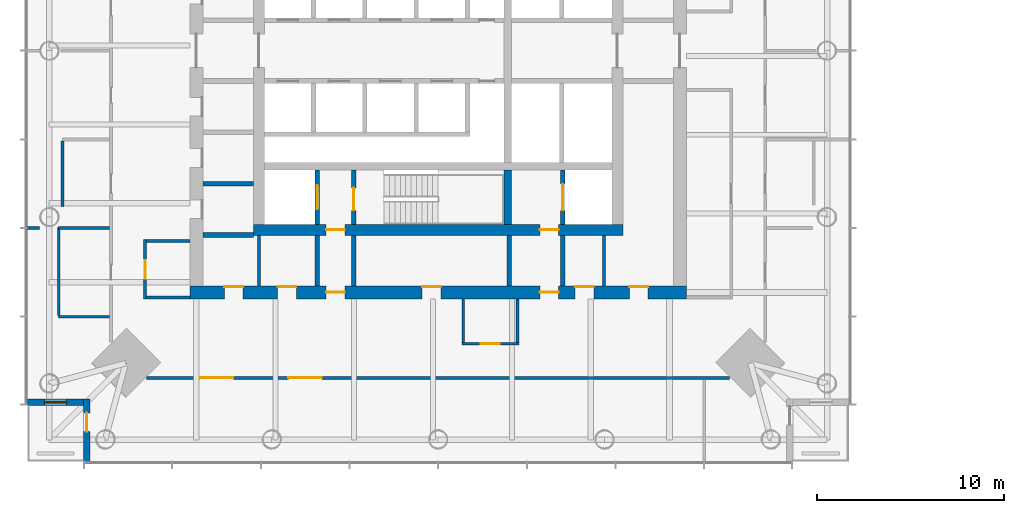
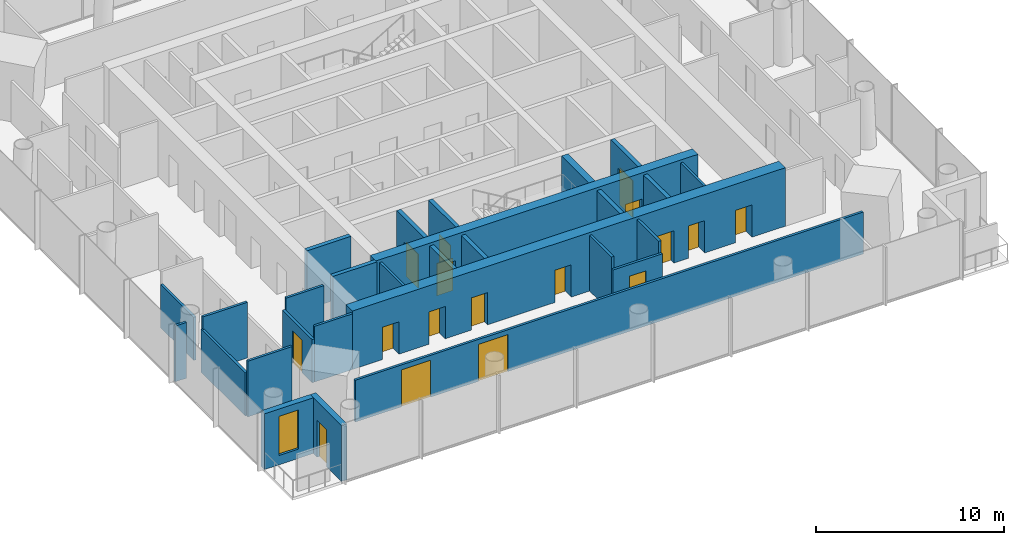
# One storey, part 8 of 19: 28 walls, 17 doors, 1 window, 18 openings.
"""IFC4 building model written with IfcOpenShell, lengths in metres."""

from ifc_helpers import new_model, si_unit, direction, frame, frame_2d, origin, place, context, subcontext, project, spatial, rectangle, extrude, material, layer, layer_set, type_object, element, fill, save


model = new_model("IFC4")

# Units and contexts
model_context = context("Model", 3, precision=1e-05, world=origin(), true_north=direction((0.0, 1.0)))
body_context = subcontext(model_context, "Body", "Model", "MODEL_VIEW")
ifc_project = project(units=[si_unit("LENGTHUNIT", "METRE"), si_unit("AREAUNIT", "SQUARE_METRE"), si_unit("VOLUMEUNIT", "CUBIC_METRE"), si_unit("PLANEANGLEUNIT", "RADIAN"), si_unit("MASSUNIT", "GRAM", prefix="KILO")], contexts=[model_context])

# Site, building, storey
site_placement = place(None, origin())
site = spatial("IfcSite", under=ifc_project, at=site_placement, CompositionType="ELEMENT")
building_placement = place(site_placement, origin())
building = spatial("IfcBuilding", under=site, at=building_placement, Name="Ostroluk Exchange", CompositionType="ELEMENT")
storey_placement = place(building_placement, frame((0.0, 0.0, 119.800048828125)))
storey = spatial("IfcBuildingStorey", under=building, at=storey_placement, Name="L30", CompositionType="ELEMENT", Elevation=119.800048828125)

# Walls
ifc_material_1 = material(Name="Concrete blockwork", Category="masonry")
ifc_layer_1 = layer(ifc_material_1, 0.14990234375)
ifc_layer_set_1 = layer_set([ifc_layer_1], Name="Blockwork plant room wall 150")
wall_type_1 = type_object("IfcWallType", Name="Blockwork plant room wall 150", PredefinedType="SOLIDWALL", material=ifc_layer_set_1)
for number, where, z_axis, x_axis, name in (
    (1, (35.39990234375, 33.39990234375, 0.0), (0.0, 0.0, 1.0), (0.0, 1.0, 0.0), "Core room wall"),
    (2, (53.887939453125, 33.39990234375, 0.0), (0.0, 0.0, 1.0), (0.0, 1.0, 0.0), "Core room wall"),
):
    element("IfcWall", number, at=place(storey_placement, frame(where, z_axis=z_axis, x_axis=x_axis)), inside=storey, type_object=wall_type_1, Name=name, PredefinedType="SOLIDWALL", context=body_context, shape_type="SweptSolid", body=[
        extrude(rectangle(XDim=2.7001953125, YDim=0.14990234375, at=frame_2d((1.35009765625, 0.0))), origin(), (0.0, 0.0, 1.0), 3.619873046875),
    ])
ifc_material_2 = material(Name="Concrete blockwork", Category="masonry")
ifc_layer_2 = layer(ifc_material_2, 0.25)
ifc_layer_set_2 = layer_set([ifc_layer_2], Name="Blockwork stair enclosure wall 250")
wall_type_2 = type_object("IfcWallType", Name="Blockwork stair enclosure wall 250", PredefinedType="SOLIDWALL", material=ifc_layer_set_2)
for number, where, z_axis, x_axis, name in (
    (3, (38.52490234375, 33.39990234375, 0.0), (0.0, 0.0, 1.0), (0.0, 1.0, 0.0), "Fire lobby enclosure wall"),
    (4, (40.47509765625, 33.39990234375, 0.0), (0.0, 0.0, 1.0), (0.0, 1.0, 0.0), "Fire lobby enclosure wall"),
    (5, (48.804931640625, 33.39990234375, 0.0), (0.0, 0.0, 1.0), (0.0, 1.0, 0.0), "Service lobby enclosure wall"),
    (6, (51.675048828125, 33.39990234375, 0.0), (0.0, 0.0, 1.0), (0.0, 1.0, 0.0), "Service lobby enclosure wall"),
):
    element("IfcWall", number, at=place(storey_placement, frame(where, z_axis=z_axis, x_axis=x_axis)), inside=storey, type_object=wall_type_2, Name=name, PredefinedType="SOLIDWALL", context=body_context, shape_type="SweptSolid", body=[
        extrude(rectangle(XDim=2.7001953125, YDim=0.25, at=frame_2d((1.35009765625, 0.0))), origin(), (0.0, 0.0, 1.0), 3.619873046875),
    ])
ifc_material_3 = material(Name="Concrete C50/60", Category="concrete")
ifc_layer_3 = layer(ifc_material_3, 0.39990234375)
ifc_layer_set_3 = layer_set([ifc_layer_3], Name="Core cross wall 400 C50/60")
wall_type_3 = type_object("IfcWallType", Name="Core cross wall 400 C50/60", PredefinedType="SHEAR", material=ifc_layer_set_3)
wall_1_placement = place(storey_placement, frame((48.72998046875, 36.699951171875, 0.0), z_axis=(0.0, 0.0, 1.0), x_axis=(0.0, 1.0, 0.0)))
element("IfcWall", 7, at=wall_1_placement, inside=storey, type_object=wall_type_3, Name="T1 core wall YE1", PredefinedType="SHEAR", context=body_context, shape_type="SweptSolid", body=[
    extrude(rectangle(XDim=2.900146484375, YDim=0.39990234375, at=frame_2d((1.4501953125, 0.0))), origin(), (0.0, 0.0, 1.0), 3.800048828125),
])

# Wall, opening, door
ifc_material_4 = material(Name="Concrete C40/50", Category="concrete")
ifc_layer_4 = layer(ifc_material_4, 0.25)
ifc_layer_set_4 = layer_set([ifc_layer_4], Name="Core shaft wall 250")
wall_type_4 = type_object("IfcWallType", Name="Core shaft wall 250", PredefinedType="SHEAR", material=ifc_layer_set_4)
wall_2_placement = place(storey_placement, frame((38.52490234375, 36.699951171875, 0.0), z_axis=(0.0, 0.0, 1.0), x_axis=(0.0, 1.0, 0.0)))
wall_2 = element("IfcWall", 8, at=wall_2_placement, inside=storey, type_object=wall_type_4, Name="Firefighting lift shaft wall", PredefinedType="SHEAR", context=body_context, shape_type="SweptSolid", body=[
    extrude(rectangle(XDim=2.900146484375, YDim=0.25, at=frame_2d((1.4501953125, 0.0))), origin(), (0.0, 0.0, 1.0), 3.800048828125),
])
opening_1_placement = place(wall_2_placement, frame((0.800048828125, 0.0, 0.0)))
opening_1 = element("IfcOpeningElement", 9, at=opening_1_placement, cuts=wall_2, Name="Opening LD2", PredefinedType="OPENING", context=body_context, shape_type="SweptSolid", body=[
    extrude(rectangle(XDim=1.300048828125, YDim=2.199951171875, at=frame_2d((0.64990234375, 1.10009765625))), frame((0.0, 0.135009765625, 0.0), z_axis=(0.0, -1.0, 0.0), x_axis=(1.0, 0.0, 0.0)), (0.0, 0.0, 1.0), 0.27001953125),
])
ifc_material_5 = material(Name="Stainless steel", Category="steel")
door_type_1 = type_object("IfcDoorType", Name="Lift landing door E 60 1300 x 2200", OperationType="DOUBLE_DOOR_SLIDING", PredefinedType="DOOR", material=ifc_material_5)
door_1_placement = place(opening_1_placement, origin())
door_1 = element("IfcDoor", 10, at=door_1_placement, inside=storey, type_object=door_type_1, Name="Lift FL1 landing door", OperationType="DOUBLE_DOOR_SLIDING", OverallHeight=2.199951171875, OverallWidth=1.300048828125, PredefinedType="DOOR", context=body_context, shape_type="SweptSolid", body=[
    extrude(rectangle(XDim=1.300048828125, YDim=2.199951171875, at=frame_2d((0.64990234375, 1.10009765625))), frame((0.0, 0.02490234375, 0.0), z_axis=(0.0, -1.0, 0.0), x_axis=(1.0, 0.0, 0.0)), (0.0, 0.0, 1.0), 0.050048828125),
])
fill(opening_1, door_1)

wall_3_placement = place(storey_placement, frame((40.47509765625, 36.699951171875, 0.0), z_axis=(0.0, 0.0, 1.0), x_axis=(0.0, 1.0, 0.0)))
wall_3 = element("IfcWall", 11, at=wall_3_placement, inside=storey, type_object=wall_type_4, Name="Stair shaft wall", PredefinedType="SHEAR", context=body_context, shape_type="SweptSolid", body=[
    extrude(rectangle(XDim=2.900146484375, YDim=0.25, at=frame_2d((1.4501953125, 0.0))), origin(), (0.0, 0.0, 1.0), 3.800048828125),
])
opening_2_placement = place(wall_3_placement, frame((0.75, 0.0, 0.0)))
opening_2 = element("IfcOpeningElement", 12, at=opening_2_placement, cuts=wall_3, Name="Opening FD60S", PredefinedType="OPENING", context=body_context, shape_type="SweptSolid", body=[
    extrude(rectangle(XDim=1.199951171875, YDim=2.10009765625, at=frame_2d((0.60009765625, 1.050048828125))), frame((0.0, 0.135009765625, 0.0), z_axis=(0.0, -1.0, 0.0), x_axis=(1.0, 0.0, 0.0)), (0.0, 0.0, 1.0), 0.27001953125),
])
ifc_material_6 = material(Name="Steel", Category="steel")
door_type_2 = type_object("IfcDoorType", Name="Stair door EI 60 1200 x 2100", OperationType="SINGLE_SWING_LEFT", PredefinedType="DOOR", material=ifc_material_6)
door_2_placement = place(opening_2_placement, origin())
door_2 = element("IfcDoor", 13, at=door_2_placement, inside=storey, type_object=door_type_2, Name="Stair T1-S1 door", OperationType="SINGLE_SWING_LEFT", OverallHeight=2.10009765625, OverallWidth=1.199951171875, PredefinedType="DOOR", context=body_context, shape_type="SweptSolid", body=[
    extrude(rectangle(XDim=1.199951171875, YDim=2.10009765625, at=frame_2d((0.60009765625, 1.050048828125))), frame((0.0, 0.02490234375, 0.0), z_axis=(0.0, -1.0, 0.0), x_axis=(1.0, 0.0, 0.0)), (0.0, 0.0, 1.0), 0.050048828125),
])
fill(opening_2, door_2)

wall_4_placement = place(storey_placement, frame((51.675048828125, 36.699951171875, 0.0), z_axis=(0.0, 0.0, 1.0), x_axis=(0.0, 1.0, 0.0)))
wall_4 = element("IfcWall", 14, at=wall_4_placement, inside=storey, type_object=wall_type_4, Name="Service lift shaft wall", PredefinedType="SHEAR", context=body_context, shape_type="SweptSolid", body=[
    extrude(rectangle(XDim=2.900146484375, YDim=0.25, at=frame_2d((1.4501953125, 0.0))), origin(), (0.0, 0.0, 1.0), 3.800048828125),
])
opening_3_placement = place(wall_4_placement, frame((0.75, 0.0, 0.0)))
opening_3 = element("IfcOpeningElement", 15, at=opening_3_placement, cuts=wall_4, Name="Opening LD3", PredefinedType="OPENING", context=body_context, shape_type="SweptSolid", body=[
    extrude(rectangle(XDim=1.39990234375, YDim=2.39990234375, at=frame_2d((0.699951171875, 1.199951171875))), frame((0.0, 0.135009765625, 0.0), z_axis=(0.0, -1.0, 0.0), x_axis=(1.0, 0.0, 0.0)), (0.0, 0.0, 1.0), 0.27001953125),
])
ifc_material_7 = material(Name="Stainless steel", Category="steel")
door_type_3 = type_object("IfcDoorType", Name="Goods lift landing door E 60 1400 x 2400", OperationType="DOUBLE_DOOR_SLIDING", PredefinedType="DOOR", material=ifc_material_7)
door_3_placement = place(opening_3_placement, origin())
door_3 = element("IfcDoor", 16, at=door_3_placement, inside=storey, type_object=door_type_3, Name="Lift SL1 landing door", OperationType="DOUBLE_DOOR_SLIDING", OverallHeight=2.39990234375, OverallWidth=1.39990234375, PredefinedType="DOOR", context=body_context, shape_type="SweptSolid", body=[
    extrude(rectangle(XDim=1.39990234375, YDim=2.39990234375, at=frame_2d((0.699951171875, 1.199951171875))), frame((0.0, 0.02490234375, 0.0), z_axis=(0.0, -1.0, 0.0), x_axis=(1.0, 0.0, 0.0)), (0.0, 0.0, 1.0), 0.050048828125),
])
fill(opening_3, door_3)

# Walls
for number, where, z_axis, x_axis, name in (
    (17, (32.39990234375, 36.125, 0.0), (0.0, 0.0, 1.0), (1.0, 0.0, 0.0), "Lift shaft wall"),
    (18, (32.39990234375, 38.875, 0.0), (0.0, 0.0, 1.0), (1.0, 0.0, 0.0), "Lift shaft wall"),
):
    element("IfcWall", number, at=place(storey_placement, frame(where, z_axis=z_axis, x_axis=x_axis)), inside=storey, type_object=wall_type_4, Name=name, PredefinedType="SHEAR", context=body_context, shape_type="SweptSolid", body=[
        extrude(rectangle(XDim=2.7001953125, YDim=0.25, at=frame_2d((1.35009765625, 0.0))), origin(), (0.0, 0.0, 1.0), 3.800048828125),
    ])

# Wall, openings, doors
ifc_material_8 = material(Name="Concrete C50/60", Category="concrete")
ifc_layer_5 = layer(ifc_material_8, 0.60009765625)
ifc_layer_set_5 = layer_set([ifc_layer_5], Name="Core wall 600 C50/60")
wall_type_5 = type_object("IfcWallType", Name="Core wall 600 C50/60", PredefinedType="SHEAR", material=ifc_layer_set_5)
wall_5_placement = place(storey_placement, frame((35.10009765625, 36.39990234375, 0.0), z_axis=(0.0, 0.0, 1.0), x_axis=(1.0, 0.0, 0.0)))
wall_5 = element("IfcWall", 19, at=wall_5_placement, inside=storey, type_object=wall_type_5, Name="T1 core wall S", PredefinedType="SHEAR", context=body_context, shape_type="SweptSolid", body=[
    extrude(rectangle(XDim=19.7998046875, YDim=0.60009765625, at=frame_2d((9.89990234375, 0.0))), origin(), (0.0, 0.0, 1.0), 3.800048828125),
])
opening_4_placement = place(wall_5_placement, frame((3.89990234375, 0.0, 0.0)))
opening_4 = element("IfcOpeningElement", 20, at=opening_4_placement, cuts=wall_5, Name="Opening FD60", PredefinedType="OPENING", context=body_context, shape_type="SweptSolid", body=[
    extrude(rectangle(XDim=1.0, YDim=2.10009765625, at=frame_2d((0.5, 1.050048828125))), frame((0.0, 0.31005859375, 0.0), z_axis=(0.0, -1.0, 0.0), x_axis=(1.0, 0.0, 0.0)), (0.0, 0.0, 1.0), 0.6201171875),
])
opening_5_placement = place(wall_5_placement, frame((15.35009765625, 0.0, 0.0)))
opening_5 = element("IfcOpeningElement", 21, at=opening_5_placement, cuts=wall_5, Name="Opening FD60", PredefinedType="OPENING", context=body_context, shape_type="SweptSolid", body=[
    extrude(rectangle(XDim=1.0, YDim=2.10009765625, at=frame_2d((0.5, 1.050048828125))), frame((0.0, 0.31005859375, 0.0), z_axis=(0.0, -1.0, 0.0), x_axis=(1.0, 0.0, 0.0)), (0.0, 0.0, 1.0), 0.6201171875),
])
ifc_material_9 = material(Name="Steel", Category="steel")
door_type_4 = type_object("IfcDoorType", Name="Fire door EI 60 1000 x 2100", OperationType="SINGLE_SWING_LEFT", PredefinedType="DOOR", material=ifc_material_9)
door_4_placement = place(opening_4_placement, origin())
door_4 = element("IfcDoor", 22, at=door_4_placement, inside=storey, type_object=door_type_4, Name="Firefighting lobby door", OperationType="SINGLE_SWING_LEFT", OverallHeight=2.10009765625, OverallWidth=1.0, PredefinedType="DOOR", context=body_context, shape_type="SweptSolid", body=[
    extrude(rectangle(XDim=1.0, YDim=2.10009765625, at=frame_2d((0.5, 1.050048828125))), frame((0.0, 0.02490234375, 0.0), z_axis=(0.0, -1.0, 0.0), x_axis=(1.0, 0.0, 0.0)), (0.0, 0.0, 1.0), 0.050048828125),
])
fill(opening_4, door_4)
door_5_placement = place(opening_5_placement, origin())
door_5 = element("IfcDoor", 23, at=door_5_placement, inside=storey, type_object=door_type_4, Name="Service lobby door", OperationType="SINGLE_SWING_RIGHT", OverallHeight=2.10009765625, OverallWidth=1.0, PredefinedType="DOOR", context=body_context, shape_type="SweptSolid", body=[
    extrude(rectangle(XDim=1.0, YDim=2.10009765625, at=frame_2d((0.5, 1.050048828125))), frame((0.0, 0.02490234375, 0.0), z_axis=(0.0, -1.0, 0.0), x_axis=(1.0, 0.0, 0.0)), (0.0, 0.0, 1.0), 0.050048828125),
])
fill(opening_5, door_5)

ifc_material_10 = material(Name="Concrete C50/60", Category="concrete")
ifc_layer_6 = layer(ifc_material_10, 0.699951171875)
ifc_layer_set_6 = layer_set([ifc_layer_6], Name="Core wall 700 C50/60")
wall_type_6 = type_object("IfcWallType", Name="Core wall 700 C50/60", PredefinedType="SHEAR", material=ifc_layer_set_6)
wall_6_placement = place(storey_placement, frame((31.699951171875, 33.050048828125, 0.0), z_axis=(0.0, 0.0, 1.0), x_axis=(1.0, 0.0, 0.0)))
wall_6 = element("IfcWall", 24, at=wall_6_placement, inside=storey, type_object=wall_type_6, Name="T1 core wall RS", PredefinedType="SHEAR", context=body_context, shape_type="SweptSolid", body=[
    extrude(rectangle(XDim=26.60009765625, YDim=0.699951171875, at=frame_2d((13.300048828125, 0.0))), origin(), (0.0, 0.0, 1.0), 3.800048828125),
])
opening_6_placement = place(wall_6_placement, frame((7.300048828125, 0.0, 0.0)))
opening_6 = element("IfcOpeningElement", 25, at=opening_6_placement, cuts=wall_6, Name="Opening FD60", PredefinedType="OPENING", context=body_context, shape_type="SweptSolid", body=[
    extrude(rectangle(XDim=1.0, YDim=2.10009765625, at=frame_2d((0.5, 1.050048828125))), frame((0.0, 0.35986328125, 0.0), z_axis=(0.0, -1.0, 0.0), x_axis=(1.0, 0.0, 0.0)), (0.0, 0.0, 1.0), 0.719970703125),
])
opening_7_placement = place(wall_6_placement, frame((18.75, 0.0, 0.0)))
opening_7 = element("IfcOpeningElement", 26, at=opening_7_placement, cuts=wall_6, Name="Opening FD60", PredefinedType="OPENING", context=body_context, shape_type="SweptSolid", body=[
    extrude(rectangle(XDim=1.0, YDim=2.10009765625, at=frame_2d((0.5, 1.050048828125))), frame((0.0, 0.35986328125, 0.0), z_axis=(0.0, -1.0, 0.0), x_axis=(1.0, 0.0, 0.0)), (0.0, 0.0, 1.0), 0.719970703125),
])
opening_8_placement = place(wall_6_placement, frame((1.85009765625, 0.0, 0.0)))
opening_8 = element("IfcOpeningElement", 27, at=opening_8_placement, cuts=wall_6, Name="Opening FD60", PredefinedType="OPENING", context=body_context, shape_type="SweptSolid", body=[
    extrude(rectangle(XDim=1.0, YDim=2.10009765625, at=frame_2d((0.5, 1.050048828125))), frame((0.0, 0.35986328125, 0.0), z_axis=(0.0, -1.0, 0.0), x_axis=(1.0, 0.0, 0.0)), (0.0, 0.0, 1.0), 0.719970703125),
])
opening_9_placement = place(wall_6_placement, frame((4.699951171875, 0.0, 0.0)))
opening_9 = element("IfcOpeningElement", 28, at=opening_9_placement, cuts=wall_6, Name="Opening FD60", PredefinedType="OPENING", context=body_context, shape_type="SweptSolid", body=[
    extrude(rectangle(XDim=1.0, YDim=2.10009765625, at=frame_2d((0.5, 1.050048828125))), frame((0.0, 0.35986328125, 0.0), z_axis=(0.0, -1.0, 0.0), x_axis=(1.0, 0.0, 0.0)), (0.0, 0.0, 1.0), 0.719970703125),
])
opening_10_placement = place(wall_6_placement, frame((12.43994140625, 0.0, 0.0)))
opening_10 = element("IfcOpeningElement", 29, at=opening_10_placement, cuts=wall_6, Name="Opening FD60", PredefinedType="OPENING", context=body_context, shape_type="SweptSolid", body=[
    extrude(rectangle(XDim=1.0, YDim=2.10009765625, at=frame_2d((0.5, 1.050048828125))), frame((0.0, 0.35986328125, 0.0), z_axis=(0.0, -1.0, 0.0), x_axis=(1.0, 0.0, 0.0)), (0.0, 0.0, 1.0), 0.719970703125),
])
opening_11_placement = place(wall_6_placement, frame((20.64404296875, 0.0, 0.0)))
opening_11 = element("IfcOpeningElement", 30, at=opening_11_placement, cuts=wall_6, Name="Opening FD60", PredefinedType="OPENING", context=body_context, shape_type="SweptSolid", body=[
    extrude(rectangle(XDim=1.0, YDim=2.10009765625, at=frame_2d((0.5, 1.050048828125))), frame((0.0, 0.35986328125, 0.0), z_axis=(0.0, -1.0, 0.0), x_axis=(1.0, 0.0, 0.0)), (0.0, 0.0, 1.0), 0.719970703125),
])
opening_12_placement = place(wall_6_placement, frame((23.5439453125, 0.0, 0.0)))
opening_12 = element("IfcOpeningElement", 31, at=opening_12_placement, cuts=wall_6, Name="Opening FD60", PredefinedType="OPENING", context=body_context, shape_type="SweptSolid", body=[
    extrude(rectangle(XDim=1.0, YDim=2.10009765625, at=frame_2d((0.5, 1.050048828125))), frame((0.0, 0.35986328125, 0.0), z_axis=(0.0, -1.0, 0.0), x_axis=(1.0, 0.0, 0.0)), (0.0, 0.0, 1.0), 0.719970703125),
])
door_6_placement = place(opening_6_placement, origin())
door_6 = element("IfcDoor", 32, at=door_6_placement, inside=storey, type_object=door_type_4, Name="Firefighting lobby door", OperationType="SINGLE_SWING_LEFT", OverallHeight=2.10009765625, OverallWidth=1.0, PredefinedType="DOOR", context=body_context, shape_type="SweptSolid", body=[
    extrude(rectangle(XDim=1.0, YDim=2.10009765625, at=frame_2d((0.5, 1.050048828125))), frame((0.0, 0.02490234375, 0.0), z_axis=(0.0, -1.0, 0.0), x_axis=(1.0, 0.0, 0.0)), (0.0, 0.0, 1.0), 0.050048828125),
])
fill(opening_6, door_6)
door_7_placement = place(opening_7_placement, origin())
door_7 = element("IfcDoor", 33, at=door_7_placement, inside=storey, type_object=door_type_4, Name="Service lobby door", OperationType="SINGLE_SWING_RIGHT", OverallHeight=2.10009765625, OverallWidth=1.0, PredefinedType="DOOR", context=body_context, shape_type="SweptSolid", body=[
    extrude(rectangle(XDim=1.0, YDim=2.10009765625, at=frame_2d((0.5, 1.050048828125))), frame((0.0, 0.02490234375, 0.0), z_axis=(0.0, -1.0, 0.0), x_axis=(1.0, 0.0, 0.0)), (0.0, 0.0, 1.0), 0.050048828125),
])
fill(opening_7, door_7)
door_8_placement = place(opening_8_placement, origin())
door_8 = element("IfcDoor", 34, at=door_8_placement, inside=storey, type_object=door_type_4, Name="Archive door", OperationType="SINGLE_SWING_LEFT", OverallHeight=2.10009765625, OverallWidth=1.0, PredefinedType="DOOR", context=body_context, shape_type="SweptSolid", body=[
    extrude(rectangle(XDim=1.0, YDim=2.10009765625, at=frame_2d((0.5, 1.050048828125))), frame((0.0, 0.33984375, 0.0), z_axis=(0.0, -1.0, 0.0), x_axis=(1.0, 0.0, 0.0)), (0.0, 0.0, 1.0), 0.050048828125),
])
fill(opening_8, door_8)
door_9_placement = place(opening_9_placement, origin())
door_9 = element("IfcDoor", 35, at=door_9_placement, inside=storey, type_object=door_type_4, Name="Tenant IT room door", OperationType="SINGLE_SWING_LEFT", OverallHeight=2.10009765625, OverallWidth=1.0, PredefinedType="DOOR", context=body_context, shape_type="SweptSolid", body=[
    extrude(rectangle(XDim=1.0, YDim=2.10009765625, at=frame_2d((0.5, 1.050048828125))), frame((0.0, 0.33984375, 0.0), z_axis=(0.0, -1.0, 0.0), x_axis=(1.0, 0.0, 0.0)), (0.0, 0.0, 1.0), 0.050048828125),
])
fill(opening_9, door_9)
door_10_placement = place(opening_10_placement, origin())
door_10 = element("IfcDoor", 36, at=door_10_placement, inside=storey, type_object=door_type_4, Name="Tea point door", OperationType="SINGLE_SWING_LEFT", OverallHeight=2.10009765625, OverallWidth=1.0, PredefinedType="DOOR", context=body_context, shape_type="SweptSolid", body=[
    extrude(rectangle(XDim=1.0, YDim=2.10009765625, at=frame_2d((0.5, 1.050048828125))), frame((0.0, 0.33984375, 0.0), z_axis=(0.0, -1.0, 0.0), x_axis=(1.0, 0.0, 0.0)), (0.0, 0.0, 1.0), 0.050048828125),
])
fill(opening_10, door_10)
door_11_placement = place(opening_11_placement, origin())
door_11 = element("IfcDoor", 37, at=door_11_placement, inside=storey, type_object=door_type_4, Name="Cleaner's store door", OperationType="SINGLE_SWING_RIGHT", OverallHeight=2.10009765625, OverallWidth=1.0, PredefinedType="DOOR", context=body_context, shape_type="SweptSolid", body=[
    extrude(rectangle(XDim=1.0, YDim=2.10009765625, at=frame_2d((0.5, 1.050048828125))), frame((0.0, 0.33984375, 0.0), z_axis=(0.0, -1.0, 0.0), x_axis=(1.0, 0.0, 0.0)), (0.0, 0.0, 1.0), 0.050048828125),
])
fill(opening_11, door_11)
door_12_placement = place(opening_12_placement, origin())
door_12 = element("IfcDoor", 38, at=door_12_placement, inside=storey, type_object=door_type_4, Name="First aid room door", OperationType="SINGLE_SWING_RIGHT", OverallHeight=2.10009765625, OverallWidth=1.0, PredefinedType="DOOR", context=body_context, shape_type="SweptSolid", body=[
    extrude(rectangle(XDim=1.0, YDim=2.10009765625, at=frame_2d((0.5, 1.050048828125))), frame((0.0, 0.33984375, 0.0), z_axis=(0.0, -1.0, 0.0), x_axis=(1.0, 0.0, 0.0)), (0.0, 0.0, 1.0), 0.050048828125),
])
fill(opening_12, door_12)

# Wall, opening, door
ifc_material_11 = material(Name="Limestone", Category="masonry")
ifc_layer_7 = layer(ifc_material_11, 0.35009765625)
ifc_layer_set_7 = layer_set([ifc_layer_7], Name="Limestone facade wall 350")
wall_type_7 = type_object("IfcWallType", Name="Limestone facade wall 350", PredefinedType="SOLIDWALL", material=ifc_layer_set_7)
wall_7_placement = place(storey_placement, frame((26.175048828125, 24.0, 0.0), z_axis=(0.0, 0.0, 1.0), x_axis=(0.0, 1.0, 0.0)))
wall_7 = element("IfcWall", 39, at=wall_7_placement, inside=storey, type_object=wall_type_7, Name="Office tower SW corner wall L30 a", PredefinedType="SOLIDWALL", context=body_context, shape_type="SweptSolid", body=[
    extrude(rectangle(XDim=3.35009765625, YDim=0.35009765625, at=frame_2d((1.675048828125, 0.0))), origin(), (0.0, 0.0, 1.0), 3.619873046875),
])
opening_13_placement = place(wall_7_placement, frame((1.60009765625, 0.0, 0.0)))
opening_13 = element("IfcOpeningElement", 40, at=opening_13_placement, cuts=wall_7, Name="Opening D-B1", PredefinedType="OPENING", context=body_context, shape_type="SweptSolid", body=[
    extrude(rectangle(XDim=1.0, YDim=2.39990234375, at=frame_2d((0.5, 1.199951171875))), frame((0.0, 0.18505859375, 0.0), z_axis=(0.0, -1.0, 0.0), x_axis=(1.0, 0.0, 0.0)), (0.0, 0.0, 1.0), 0.3701171875),
])
ifc_material_12 = material(Name="Bronze framed glazed door", Category="aluminium")
door_type_5 = type_object("IfcDoorType", Name="Balcony door 1000 x 2400", OperationType="SINGLE_SWING_LEFT", PredefinedType="DOOR", material=ifc_material_12)
door_13_placement = place(opening_13_placement, origin())
door_13 = element("IfcDoor", 41, at=door_13_placement, inside=storey, type_object=door_type_5, Name="Office tower SW balcony door L30", OperationType="SINGLE_SWING_RIGHT", OverallHeight=2.39990234375, OverallWidth=1.0, PredefinedType="DOOR", context=body_context, shape_type="SweptSolid", body=[
    extrude(rectangle(XDim=1.0, YDim=2.39990234375, at=frame_2d((0.5, 1.199951171875))), frame((0.0, 0.02490234375, 0.0), z_axis=(0.0, -1.0, 0.0), x_axis=(1.0, 0.0, 0.0)), (0.0, 0.0, 1.0), 0.050048828125),
])
fill(opening_13, door_13)

# Wall, opening, window
wall_8_placement = place(storey_placement, frame((26.0, 27.175048828125, 0.0), z_axis=(0.0, 0.0, 1.0), x_axis=(-1.0, 0.0, 0.0)))
wall_8 = element("IfcWall", 42, at=wall_8_placement, inside=storey, type_object=wall_type_7, Name="Office tower SW corner wall L30 b", PredefinedType="SOLIDWALL", context=body_context, shape_type="SweptSolid", body=[
    extrude(rectangle(XDim=3.0, YDim=0.35009765625, at=frame_2d((1.5, 0.0))), origin(), (0.0, 0.0, 1.0), 3.619873046875),
])
opening_14_placement = place(wall_8_placement, frame((0.89990234375, 0.0, 0.60009765625)))
opening_14 = element("IfcOpeningElement", 43, at=opening_14_placement, cuts=wall_8, Name="Opening WN-L1", PredefinedType="OPENING", context=body_context, shape_type="SweptSolid", body=[
    extrude(rectangle(XDim=1.199951171875, YDim=2.550048828125, at=frame_2d((0.60009765625, 1.27490234375))), frame((0.0, 0.18505859375, 0.0), z_axis=(0.0, -1.0, 0.0), x_axis=(1.0, 0.0, 0.0)), (0.0, 0.0, 1.0), 0.3701171875),
])
ifc_material_13 = material(Name="Laminated clear glass", Category="glass")
window_type = type_object("IfcWindowType", Name="Lancet window 1200 x 2550", PartitioningType="SINGLE_PANEL", PredefinedType="WINDOW", material=ifc_material_13)
window_placement = place(opening_14_placement, origin())
window = element("IfcWindow", 44, at=window_placement, inside=storey, type_object=window_type, Name="Office tower SW lancet window L30", OverallHeight=2.550048828125, OverallWidth=1.199951171875, PartitioningType="SINGLE_PANEL", PredefinedType="WINDOW", context=body_context, shape_type="SweptSolid", body=[
    extrude(rectangle(XDim=1.199951171875, YDim=2.550048828125, at=frame_2d((0.60009765625, 1.27490234375))), frame((0.0, 0.030029296875, 0.0), z_axis=(0.0, -1.0, 0.0), x_axis=(1.0, 0.0, 0.0)), (0.0, 0.0, 1.0), 0.06005859375),
])
fill(opening_14, window)

# Wall, opening, door
ifc_material_14 = material(Name="Gypsum plasterboard partition", Category="gypsum")
ifc_layer_8 = layer(ifc_material_14, 0.14990234375)
ifc_layer_set_8 = layer_set([ifc_layer_8], Name="Plasterboard partition 150")
wall_type_8 = type_object("IfcWallType", Name="Plasterboard partition 150", PredefinedType="PARTITIONING", material=ifc_layer_set_8)
wall_9_placement = place(storey_placement, frame((29.300048828125, 35.875, 0.0), z_axis=(0.0, 0.0, 1.0), x_axis=(0.0, -1.0, 0.0)))
wall_9 = element("IfcWall", 45, at=wall_9_placement, inside=storey, type_object=wall_type_8, Name="Partition", PredefinedType="PARTITIONING", context=body_context, shape_type="SweptSolid", body=[
    extrude(rectangle(XDim=3.175048828125, YDim=0.14990234375, at=frame_2d((1.58740234375, 0.0))), origin(), (0.0, 0.0, 1.0), 2.805908203125),
])
opening_15_placement = place(wall_9_placement, frame((1.08740234375, 0.0, 0.0)))
opening_15 = element("IfcOpeningElement", 46, at=opening_15_placement, cuts=wall_9, Name="Opening D-03", PredefinedType="OPENING", context=body_context, shape_type="SweptSolid", body=[
    extrude(rectangle(XDim=1.0, YDim=2.10009765625, at=frame_2d((0.5, 1.050048828125))), frame((0.0, 0.0849609375, 0.0), z_axis=(0.0, -1.0, 0.0), x_axis=(1.0, 0.0, 0.0)), (0.0, 0.0, 1.0), 0.169921875),
])
ifc_material_15 = material(Name="Timber", Category="wood")
door_type_6 = type_object("IfcDoorType", Name="Internal door 1000 x 2100", OperationType="SINGLE_SWING_LEFT", PredefinedType="DOOR", material=ifc_material_15)
door_14_placement = place(opening_15_placement, origin())
door_14 = element("IfcDoor", 47, at=door_14_placement, inside=storey, type_object=door_type_6, Name="Staff room door", OperationType="SINGLE_SWING_RIGHT", OverallHeight=2.10009765625, OverallWidth=1.0, PredefinedType="DOOR", context=body_context, shape_type="SweptSolid", body=[
    extrude(rectangle(XDim=1.0, YDim=2.10009765625, at=frame_2d((0.5, 1.050048828125))), frame((0.0, 0.02490234375, 0.0), z_axis=(0.0, -1.0, 0.0), x_axis=(1.0, 0.0, 0.0)), (0.0, 0.0, 1.0), 0.050048828125),
])
fill(opening_15, door_14)

# Walls
for number, where, z_axis, x_axis, name in (
    (48, (31.699951171875, 35.800048828125, 0.0), (0.0, 0.0, 1.0), (-1.0, 0.0, 0.0), "Partition"),
    (49, (31.699951171875, 32.77490234375, 0.0), (0.0, 0.0, 1.0), (-1.0, 0.0, 0.0), "Partition"),
):
    element("IfcWall", number, at=place(storey_placement, frame(where, z_axis=z_axis, x_axis=x_axis)), inside=storey, type_object=wall_type_8, Name=name, PredefinedType="PARTITIONING", context=body_context, shape_type="SweptSolid", body=[
        extrude(rectangle(XDim=2.324951171875, YDim=0.14990234375, at=frame_2d((1.16259765625, 0.0))), origin(), (0.0, 0.0, 1.0), 3.619873046875),
    ])

# Wall, opening, door
wall_10_placement = place(storey_placement, frame((46.264892578125, 30.300048828125, 0.0), z_axis=(0.0, 0.0, 1.0), x_axis=(1.0, 0.0, 0.0)))
wall_10 = element("IfcWall", 50, at=wall_10_placement, inside=storey, type_object=wall_type_8, Name="Partition", PredefinedType="PARTITIONING", context=body_context, shape_type="SweptSolid", body=[
    extrude(rectangle(XDim=3.06005859375, YDim=0.14990234375, at=frame_2d((1.530029296875, 0.0))), origin(), (0.0, 0.0, 1.0), 2.85791015625),
])
opening_16_placement = place(wall_10_placement, frame((1.030029296875, 0.0, 0.0)))
opening_16 = element("IfcOpeningElement", 51, at=opening_16_placement, cuts=wall_10, Name="Opening D-03", PredefinedType="OPENING", context=body_context, shape_type="SweptSolid", body=[
    extrude(rectangle(XDim=1.0, YDim=2.10009765625, at=frame_2d((0.5, 1.050048828125))), frame((0.0, 0.0849609375, 0.0), z_axis=(0.0, -1.0, 0.0), x_axis=(1.0, 0.0, 0.0)), (0.0, 0.0, 1.0), 0.169921875),
])
door_15_placement = place(opening_16_placement, origin())
door_15 = element("IfcDoor", 52, at=door_15_placement, inside=storey, type_object=door_type_6, Name="Interview room door", OperationType="SINGLE_SWING_LEFT", OverallHeight=2.10009765625, OverallWidth=1.0, PredefinedType="DOOR", context=body_context, shape_type="SweptSolid", body=[
    extrude(rectangle(XDim=1.0, YDim=2.10009765625, at=frame_2d((0.5, 1.050048828125))), frame((0.0, 0.02490234375, 0.0), z_axis=(0.0, -1.0, 0.0), x_axis=(1.0, 0.0, 0.0)), (0.0, 0.0, 1.0), 0.050048828125),
])
fill(opening_16, door_15)

# Walls
for number, where, z_axis, x_axis, name in (
    (53, (46.340087890625, 32.699951171875, 0.0), (0.0, 0.0, 1.0), (0.0, -1.0, 0.0), "Partition"),
    (54, (49.25, 32.699951171875, 0.0), (0.0, 0.0, 1.0), (0.0, -1.0, 0.0), "Partition"),
):
    element("IfcWall", number, at=place(storey_placement, frame(where, z_axis=z_axis, x_axis=x_axis)), inside=storey, type_object=wall_type_8, Name=name, PredefinedType="PARTITIONING", context=body_context, shape_type="SweptSolid", body=[
        extrude(rectangle(XDim=2.324951171875, YDim=0.14990234375, at=frame_2d((1.16259765625, 0.0))), origin(), (0.0, 0.0, 1.0), 3.619873046875),
    ])
wall_11_placement = place(storey_placement, frame((27.39990234375, 36.5, 0.0), z_axis=(0.0, 0.0, 1.0), x_axis=(-1.0, 0.0, 0.0)))
element("IfcWall", 55, at=wall_11_placement, inside=storey, type_object=wall_type_8, Name="Partition", PredefinedType="PARTITIONING", context=body_context, shape_type="SweptSolid", body=[
    extrude(rectangle(XDim=2.725830078125, YDim=0.14990234375, at=frame_2d((1.36279296875, 0.0))), origin(), (0.0, 0.0, 1.0), 3.619873046875),
])
wall_12_placement = place(storey_placement, frame((23.649169921875, 36.5, 0.0), z_axis=(0.0, 0.0, 1.0), x_axis=(-1.0, 0.0, 0.0)))
element("IfcWall", 56, at=wall_12_placement, inside=storey, type_object=wall_type_8, Name="Partition", PredefinedType="PARTITIONING", context=body_context, shape_type="SweptSolid", body=[
    extrude(rectangle(XDim=0.689208984375, YDim=0.14990234375, at=frame_2d((0.3447265625, 0.0))), origin(), (0.0, 0.0, 1.0), 3.619873046875),
])
wall_13_placement = place(storey_placement, frame((27.39990234375, 31.75, 0.0), z_axis=(0.0, 0.0, 1.0), x_axis=(-1.0, 0.0, 0.0)))
element("IfcWall", 57, at=wall_13_placement, inside=storey, type_object=wall_type_8, Name="Partition", PredefinedType="PARTITIONING", context=body_context, shape_type="SweptSolid", body=[
    extrude(rectangle(XDim=2.724853515625, YDim=0.14990234375, at=frame_2d((1.3623046875, 0.0))), origin(), (0.0, 0.0, 1.0), 3.619873046875),
])

# Wall, openings, doors
wall_14_placement = place(storey_placement, frame((29.388427734375, 28.47509765625, 0.0), z_axis=(0.0, 0.0, 1.0), x_axis=(1.0, 0.0, 0.0)))
wall_14 = element("IfcWall", 58, at=wall_14_placement, inside=storey, type_object=wall_type_8, Name="Partition", PredefinedType="PARTITIONING", context=body_context, shape_type="SweptSolid", body=[
    extrude(rectangle(XDim=31.22314453125, YDim=0.14990234375, at=frame_2d((15.611572265625, 0.0))), origin(), (0.0, 0.0, 1.0), 2.719970703125),
])
opening_17_placement = place(wall_14_placement, frame((2.83642578125, 0.0, 0.0)))
opening_17 = element("IfcOpeningElement", 59, at=opening_17_placement, cuts=wall_14, Name="Opening D-04", PredefinedType="OPENING", context=body_context, shape_type="SweptSolid", body=[
    extrude(rectangle(XDim=1.800048828125, YDim=2.39990234375, at=frame_2d((0.89990234375, 1.199951171875))), frame((0.0, 0.0849609375, 0.0), z_axis=(0.0, -1.0, 0.0), x_axis=(1.0, 0.0, 0.0)), (0.0, 0.0, 1.0), 0.169921875),
])
opening_18_placement = place(wall_14_placement, frame((7.58642578125, 0.0, 0.0)))
opening_18 = element("IfcOpeningElement", 60, at=opening_18_placement, cuts=wall_14, Name="Opening D-04", PredefinedType="OPENING", context=body_context, shape_type="SweptSolid", body=[
    extrude(rectangle(XDim=1.800048828125, YDim=2.39990234375, at=frame_2d((0.89990234375, 1.199951171875))), frame((0.0, 0.0849609375, 0.0), z_axis=(0.0, -1.0, 0.0), x_axis=(1.0, 0.0, 0.0)), (0.0, 0.0, 1.0), 0.169921875),
])
ifc_material_16 = material(Name="Timber", Category="wood")
door_type_7 = type_object("IfcDoorType", Name="Double door 1800 x 2400", OperationType="DOUBLE_DOOR_SINGLE_SWING", PredefinedType="DOOR", material=ifc_material_16)
door_16_placement = place(opening_17_placement, origin())
door_16 = element("IfcDoor", 61, at=door_16_placement, inside=storey, type_object=door_type_7, Name="Open plan office door", OperationType="DOUBLE_DOOR_SINGLE_SWING", OverallHeight=2.39990234375, OverallWidth=1.800048828125, PredefinedType="DOOR", context=body_context, shape_type="SweptSolid", body=[
    extrude(rectangle(XDim=1.800048828125, YDim=2.39990234375, at=frame_2d((0.89990234375, 1.199951171875))), frame((0.0, 0.02490234375, 0.0), z_axis=(0.0, -1.0, 0.0), x_axis=(1.0, 0.0, 0.0)), (0.0, 0.0, 1.0), 0.050048828125),
])
fill(opening_17, door_16)
door_17_placement = place(opening_18_placement, origin())
door_17 = element("IfcDoor", 62, at=door_17_placement, inside=storey, type_object=door_type_7, Name="Open plan office door", OperationType="DOUBLE_DOOR_SINGLE_SWING", OverallHeight=2.39990234375, OverallWidth=1.800048828125, PredefinedType="DOOR", context=body_context, shape_type="SweptSolid", body=[
    extrude(rectangle(XDim=1.800048828125, YDim=2.39990234375, at=frame_2d((0.89990234375, 1.199951171875))), frame((0.0, 0.02490234375, 0.0), z_axis=(0.0, -1.0, 0.0), x_axis=(1.0, 0.0, 0.0)), (0.0, 0.0, 1.0), 0.050048828125),
])
fill(opening_18, door_17)

# Walls
ifc_material_17 = material(Name="Gypsum plasterboard partition, moisture resistant", Category="gypsum")
ifc_layer_9 = layer(ifc_material_17, 0.14990234375)
ifc_layer_set_9 = layer_set([ifc_layer_9], Name="Plasterboard toilet partition 150")
wall_type_9 = type_object("IfcWallType", Name="Plasterboard toilet partition 150", PredefinedType="PARTITIONING", material=ifc_layer_set_9)
wall_15_placement = place(storey_placement, frame((24.875, 41.175048828125, 0.0), z_axis=(0.0, 0.0, 1.0), x_axis=(0.0, -1.0, 0.0)))
element("IfcWall", 63, at=wall_15_placement, inside=storey, type_object=wall_type_9, Name="Toilet partition", PredefinedType="PARTITIONING", context=body_context, shape_type="SweptSolid", body=[
    extrude(rectangle(XDim=3.52783203125, YDim=0.14990234375, at=frame_2d((1.763916015625, 0.0))), origin(), (0.0, 0.0, 1.0), 2.805908203125),
])
wall_16_placement = place(storey_placement, frame((24.675048828125, 36.52490234375, 0.0), z_axis=(0.0, 0.0, 1.0), x_axis=(0.0, -1.0, 0.0)))
element("IfcWall", 64, at=wall_16_placement, inside=storey, type_object=wall_type_9, Name="Toilet partition", PredefinedType="PARTITIONING", context=body_context, shape_type="SweptSolid", body=[
    extrude(rectangle(XDim=4.699951171875, YDim=0.14990234375, at=frame_2d((2.35009765625, 0.0))), origin(), (0.0, 0.0, 1.0), 2.805908203125),
])

save(model, "model.ifc")
